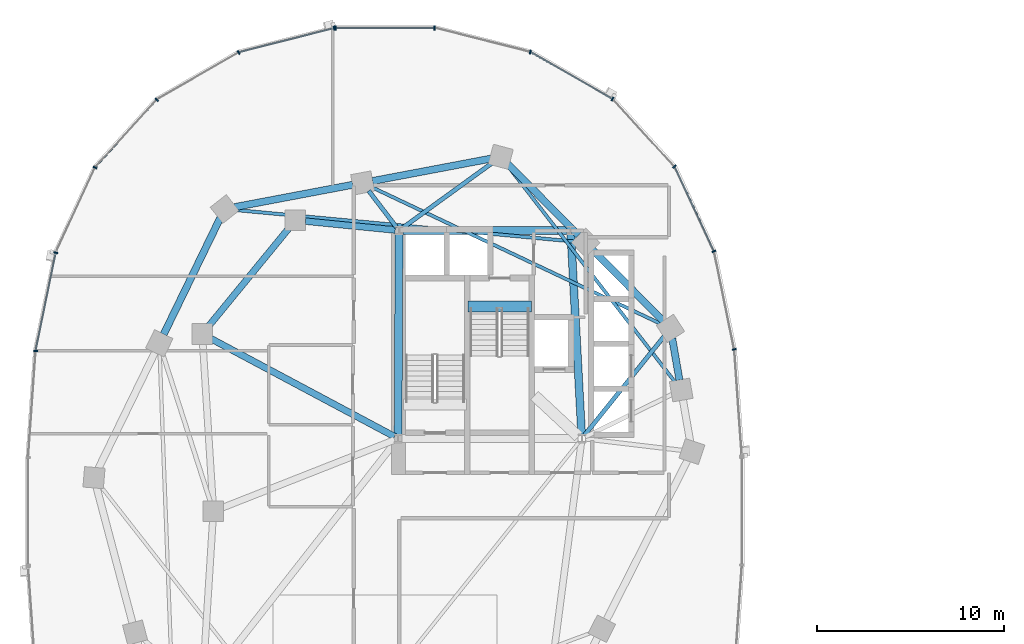
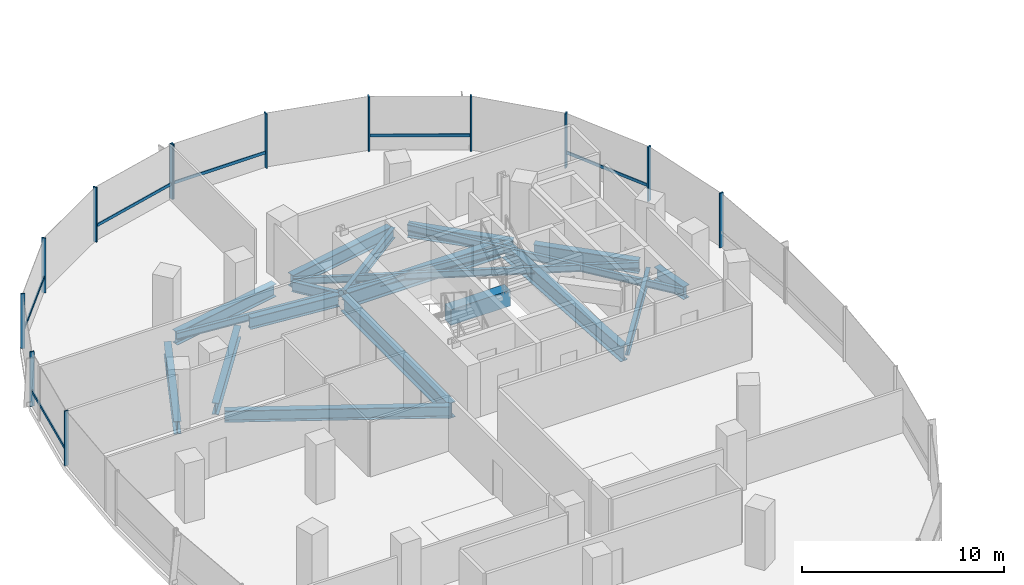
# One storey, part 4 of 21: 19 beams, 19 members, 2 elements without a shape of their own.
"""IFC4 building model written with IfcOpenShell, lengths in metres."""

from ifc_helpers import new_model, si_unit, direction, frame, origin, origin_2d, place, context, subcontext, project, spatial, rectangle, i_section, extrude, material, material_profile, profile_set, type_object, element, aggregate, save


model = new_model("IFC4")

# Units and contexts
model_context = context("Model", 3, precision=1e-05, world=origin(), true_north=direction((0.0, 1.0)))
body_context = subcontext(model_context, "Body", "Model", "MODEL_VIEW")
ifc_project = project(units=[si_unit("LENGTHUNIT", "METRE"), si_unit("AREAUNIT", "SQUARE_METRE"), si_unit("VOLUMEUNIT", "CUBIC_METRE"), si_unit("PLANEANGLEUNIT", "RADIAN"), si_unit("MASSUNIT", "GRAM", prefix="KILO"), si_unit("THERMODYNAMICTEMPERATUREUNIT", "KELVIN"), si_unit("POWERUNIT", "WATT")], contexts=[model_context])

# Site, building, storey
site_placement = place(None, origin())
site = spatial("IfcSite", under=ifc_project, at=site_placement, CompositionType="ELEMENT")
building_placement = place(site_placement, origin())
building = spatial("IfcBuilding", under=site, at=building_placement, Name="Cundina Bronze Exchange", CompositionType="ELEMENT")
storey_placement = place(building_placement, frame((0.0, 0.0, 103.39990234375)))
storey = spatial("IfcBuildingStorey", under=building, at=storey_placement, Name="L26", CompositionType="ELEMENT", Elevation=103.39990234375)

# Beams
ifc_material_1 = material(Name="Concrete C60/75", Category="concrete")
ifc_material_profile_1 = material_profile(ifc_material_1, rectangle(XDim=0.60009765625, YDim=0.949951171875, at=origin_2d()), Name="RC600X950", Category="concrete")
ifc_profile_set_1 = profile_set([ifc_material_profile_1], Name="Concrete C60/75")
beam_type_1 = type_object("IfcBeamType", Name="BM-COUP-RC950", PredefinedType="LINTEL", material=ifc_profile_set_1)
beam_1_placement = place(storey_placement, frame((-27.56005859375, 10.97998046875, -0.474853515625), z_axis=(1.0, 0.0, 0.0), x_axis=(0.0, 1.0, 0.0)))
element("IfcBeam", 1, at=beam_1_placement, inside=storey, type_object=beam_type_1, Name="L26 Stair W2 Landing Header Beam", PredefinedType="LINTEL", context=body_context, shape_type="SweptSolid", body=[
    extrude(rectangle(XDim=0.60009765625, YDim=0.949951171875, at=origin_2d()), origin(), (0.0, 0.0, 1.0), 3.400146484375),
])
ifc_material_2 = material(Name="Steel ASTM A992 Grade 50", Category="steel")
ifc_material_profile_2 = material_profile(ifc_material_2, i_section(OverallWidth=0.22998046875, OverallDepth=0.616943359375, WebThickness=0.01318359375, FlangeThickness=0.022216796875, FilletRadius=0.013916015625, at=origin_2d()), Name="W24X94", Category="steel")
ifc_profile_set_2 = profile_set([ifc_material_profile_2], Name="Steel ASTM A992 Grade 50")
beam_type_2 = type_object("IfcBeamType", Name="BM-FLR-W24B", PredefinedType="BEAM", material=ifc_profile_set_2)
beam_2_placement = place(storey_placement, frame((-21.322021484375, 4.058837890625, -0.6083984375), z_axis=(0.627106187843, 0.778933777139, 0.0), x_axis=(-0.778933777139, 0.627106187843, 0.0)))
element("IfcBeam", 2, at=beam_2_placement, inside=storey, type_object=beam_type_2, Name="L26 Leg W Radial Floor Beam 02", PredefinedType="BEAM", context=body_context, shape_type="SweptSolid", body=[
    extrude(i_section(OverallWidth=0.22998046875, OverallDepth=0.616943359375, WebThickness=0.01318359375, FlangeThickness=0.022216796875, FilletRadius=0.013916015625, at=origin_2d()), origin(), (0.0, 0.0, 1.0), 6.83251953125),
])
beam_3_placement = place(storey_placement, frame((-31.084716796875, 15.169677734375, -0.6083984375), z_axis=(0.809686957662, 0.586862020063, 0.0), x_axis=(-0.586862020063, 0.809686957662, 0.0)))
element("IfcBeam", 3, at=beam_3_placement, inside=storey, type_object=beam_type_2, Name="L26 Leg W Radial Floor Beam 04", PredefinedType="BEAM", context=body_context, shape_type="SweptSolid", body=[
    extrude(i_section(OverallWidth=0.22998046875, OverallDepth=0.616943359375, WebThickness=0.01318359375, FlangeThickness=0.022216796875, FilletRadius=0.013916015625, at=origin_2d()), origin(), (0.0, 0.0, 1.0), 5.98876953125),
])
beam_4_placement = place(storey_placement, frame((-31.373779296875, 15.2119140625, -0.6083984375), z_axis=(-0.607490490457, 0.79432695032, 0.0), x_axis=(-0.79432695032, -0.607490490457, 0.0)))
element("IfcBeam", 4, at=beam_4_placement, inside=storey, type_object=beam_type_2, Name="L26 Leg W Radial Floor Beam 05", PredefinedType="BEAM", context=body_context, shape_type="SweptSolid", body=[
    extrude(i_section(OverallWidth=0.22998046875, OverallDepth=0.616943359375, WebThickness=0.01318359375, FlangeThickness=0.022216796875, FilletRadius=0.013916015625, at=origin_2d()), origin(), (0.0, 0.0, 1.0), 2.46826171875),
])
ifc_material_profile_3 = material_profile(ifc_material_2, i_section(OverallWidth=0.178955078125, OverallDepth=0.409912109375, WebThickness=0.0087890625, FlangeThickness=0.014404296875, FilletRadius=0.010986328125, at=origin_2d()), Name="W16X45", Category="steel")
ifc_profile_set_3 = profile_set([ifc_material_profile_3], Name="Steel ASTM A992 Grade 50")
beam_type_3 = type_object("IfcBeamType", Name="BM-JST-W16", PredefinedType="JOIST", material=ifc_profile_set_3)
beam_5_placement = place(storey_placement, frame((-16.454345703125, 6.92529296875, -0.5048828125), z_axis=(-0.612065218806, 0.790807288742, 0.0), x_axis=(-0.790807288742, -0.612065218806, 0.0)))
element("IfcBeam", 5, at=beam_5_placement, inside=storey, type_object=beam_type_3, Name="L26 Leg W Lobe Floor Joist 01-04", PredefinedType="JOIST", context=body_context, shape_type="SweptSolid", body=[
    extrude(i_section(OverallWidth=0.178955078125, OverallDepth=0.409912109375, WebThickness=0.0087890625, FlangeThickness=0.014404296875, FilletRadius=0.010986328125, at=origin_2d()), origin(), (0.0, 0.0, 1.0), 14.73095703125),
])
beam_6_placement = place(storey_placement, frame((-17.186279296875, 10.02978515625, -0.5048828125), z_axis=(-0.904069270633, 0.427385954259, 0.0), x_axis=(-0.427385954259, -0.904069270633, 0.0)))
element("IfcBeam", 6, at=beam_6_placement, inside=storey, type_object=beam_type_3, Name="L26 Leg W Lobe Floor Joist 02-05", PredefinedType="JOIST", context=body_context, shape_type="SweptSolid", body=[
    extrude(i_section(OverallWidth=0.178955078125, OverallDepth=0.409912109375, WebThickness=0.0087890625, FlangeThickness=0.014404296875, FilletRadius=0.010986328125, at=origin_2d()), origin(), (0.0, 0.0, 1.0), 17.175048828125),
])
beam_7_placement = place(storey_placement, frame((-21.78564453125, 14.44970703125, -0.5048828125), z_axis=(-0.995700674022, 0.092629194921, 0.0), x_axis=(-0.092629194921, -0.995700674022, 0.0)))
element("IfcBeam", 7, at=beam_7_placement, inside=storey, type_object=beam_type_3, Name="L26 Leg W Lobe Floor Joist 03-06", PredefinedType="JOIST", context=body_context, shape_type="SweptSolid", body=[
    extrude(i_section(OverallWidth=0.178955078125, OverallDepth=0.409912109375, WebThickness=0.0087890625, FlangeThickness=0.014404296875, FilletRadius=0.010986328125, at=origin_2d()), origin(), (0.0, 0.0, 1.0), 18.357421875),
])
ifc_material_profile_4 = material_profile(ifc_material_2, i_section(OverallWidth=0.35498046875, OverallDepth=0.695068359375, WebThickness=0.015380859375, FlangeThickness=0.02490234375, FilletRadius=0.01806640625, at=origin_2d()), Name="W27X146", Category="steel")
ifc_profile_set_4 = profile_set([ifc_material_profile_4], Name="Steel ASTM A992 Grade 50")
beam_type_4 = type_object("IfcBeamType", Name="BM-RING-W27", PredefinedType="USERDEFINED", material=ifc_profile_set_4)
beam_8_placement = place(storey_placement, frame((-31.452880859375, 15.070068359375, -0.6474609375), z_axis=(-0.995126271817, 0.098608839051, 0.0), x_axis=(-0.098608839051, -0.995126271817, 0.0)))
element("IfcBeam", 8, at=beam_8_placement, inside=storey, type_object=beam_type_4, Name="L26 W Inner Structural Ring Girder 01", ObjectType="GIRDER", PredefinedType="USERDEFINED", context=body_context, shape_type="SweptSolid", body=[
    extrude(i_section(OverallWidth=0.35498046875, OverallDepth=0.695068359375, WebThickness=0.015380859375, FlangeThickness=0.02490234375, FilletRadius=0.01806640625, at=origin_2d()), origin(), (0.0, 0.0, 1.0), 4.83544921875),
])
beam_9_placement = place(storey_placement, frame((-37.14111328125, 15.183837890625, -0.6474609375), z_axis=(-0.633926549035, -0.773393257295, 0.0), x_axis=(0.773393257295, -0.633926549035, 0.0)))
element("IfcBeam", 9, at=beam_9_placement, inside=storey, type_object=beam_type_4, Name="L26 W Inner Structural Ring Girder 02", ObjectType="GIRDER", PredefinedType="USERDEFINED", context=body_context, shape_type="SweptSolid", body=[
    extrude(i_section(OverallWidth=0.35498046875, OverallDepth=0.695068359375, WebThickness=0.015380859375, FlangeThickness=0.02490234375, FilletRadius=0.01806640625, at=origin_2d()), origin(), (0.0, 0.0, 1.0), 6.811279296875),
])
beam_10_placement = place(storey_placement, frame((-31.47998046875, 3.99609375, -0.6474609375), z_axis=(-0.882354758239, 0.470584828286, 0.0), x_axis=(-0.470584828286, -0.882354758239, 0.0)))
element("IfcBeam", 10, at=beam_10_placement, inside=storey, type_object=beam_type_4, Name="L26 W Core-to-Waist Tie Beam 2", ObjectType="GIRDER", PredefinedType="USERDEFINED", context=body_context, shape_type="SweptSolid", body=[
    extrude(i_section(OverallWidth=0.35498046875, OverallDepth=0.695068359375, WebThickness=0.015380859375, FlangeThickness=0.02490234375, FilletRadius=0.01806640625, at=origin_2d()), origin(), (0.0, 0.0, 1.0), 11.157958984375),
])
ifc_material_profile_5 = material_profile(ifc_material_2, i_section(OverallWidth=0.381103515625, OverallDepth=0.77294921875, WebThickness=0.0166015625, FlangeThickness=0.027099609375, FilletRadius=0.01904296875, at=origin_2d()), Name="W30X173", Category="steel")
ifc_profile_set_5 = profile_set([ifc_material_profile_5], Name="Steel ASTM A992 Grade 50")
beam_type_5 = type_object("IfcBeamType", Name="BM-RING-W30", PredefinedType="USERDEFINED", material=ifc_profile_set_5)
beam_11_placement = place(storey_placement, frame((-16.21728515625, 7.030029296875, -0.6865234375), z_axis=(-0.171690078326, 0.985151012284, 0.0), x_axis=(-0.985151012284, -0.171690078326, 0.0)))
element("IfcBeam", 11, at=beam_11_placement, inside=storey, type_object=beam_type_5, Name="L26 W Perimeter Ring Girder 01", ObjectType="GIRDER", PredefinedType="USERDEFINED", context=body_context, shape_type="SweptSolid", body=[
    extrude(i_section(OverallWidth=0.381103515625, OverallDepth=0.77294921875, WebThickness=0.0166015625, FlangeThickness=0.027099609375, FilletRadius=0.01904296875, at=origin_2d()), origin(), (0.0, 0.0, 1.0), 2.273681640625),
])
for number, where, z_axis, x_axis, name in (
    (12, (-17.078369140625, 10.1826171875, -0.6865234375), (-0.703226342126, 0.7109660412, 0.0), (-0.7109660412, -0.703226342126, 0.0), "L26 W Perimeter Ring Girder 02"),
    (13, (-21.62841796875, 14.782470703125, -0.6865234375), (-0.703226342126, 0.7109660412, 0.0), (-0.7109660412, -0.703226342126, 0.0), "L26 W Perimeter Ring Girder 03"),
):
    element("IfcBeam", number, at=place(storey_placement, frame(where, z_axis=z_axis, x_axis=x_axis)), inside=storey, type_object=beam_type_5, Name=name, ObjectType="GIRDER", PredefinedType="USERDEFINED", context=body_context, shape_type="SweptSolid", body=[
        extrude(i_section(OverallWidth=0.381103515625, OverallDepth=0.77294921875, WebThickness=0.0166015625, FlangeThickness=0.027099609375, FilletRadius=0.01904296875, at=origin_2d()), origin(), (0.0, 0.0, 1.0), 5.39404296875),
    ])
for number, where, z_axis, x_axis, name in (
    (14, (-26.32861328125, 18.89990234375, -0.6865234375), (-0.98257117919, -0.185886733861, 0.0), (0.185886733861, -0.98257117919, 0.0), "L26 W Perimeter Ring Girder 04"),
    (15, (-33.728515625, 17.5, -0.6865234375), (-0.98257117919, -0.185886733861, 0.0), (0.185886733861, -0.98257117919, 0.0), "L26 W Perimeter Ring Girder 05"),
):
    element("IfcBeam", number, at=place(storey_placement, frame(where, z_axis=z_axis, x_axis=x_axis)), inside=storey, type_object=beam_type_5, Name=name, ObjectType="GIRDER", PredefinedType="USERDEFINED", context=body_context, shape_type="SweptSolid", body=[
        extrude(i_section(OverallWidth=0.381103515625, OverallDepth=0.77294921875, WebThickness=0.0166015625, FlangeThickness=0.027099609375, FilletRadius=0.01904296875, at=origin_2d()), origin(), (0.0, 0.0, 1.0), 6.455322265625),
    ])
beam_12_placement = place(storey_placement, frame((-40.835205078125, 15.716064453125, -0.6865234375), z_axis=(-0.437193894283, -0.899367276924, 0.0), x_axis=(0.899367276924, -0.437193894283, 0.0)))
element("IfcBeam", 16, at=beam_12_placement, inside=storey, type_object=beam_type_5, Name="L26 W Perimeter Ring Girder 06", ObjectType="GIRDER", PredefinedType="USERDEFINED", context=body_context, shape_type="SweptSolid", body=[
    extrude(i_section(OverallWidth=0.381103515625, OverallDepth=0.77294921875, WebThickness=0.0166015625, FlangeThickness=0.027099609375, FilletRadius=0.01904296875, at=origin_2d()), origin(), (0.0, 0.0, 1.0), 6.929443359375),
])
ifc_material_profile_6 = material_profile(ifc_material_2, i_section(OverallWidth=0.41796875, OverallDepth=0.927001953125, WebThickness=0.019287109375, FlangeThickness=0.031982421875, FilletRadius=0.02392578125, at=origin_2d()), Name="W36X231", Category="steel")
ifc_profile_set_6 = profile_set([ifc_material_profile_6], Name="Steel ASTM A992 Grade 50")
beam_type_6 = type_object("IfcBeamType", Name="BM-WRN-W36B", PredefinedType="USERDEFINED", material=ifc_profile_set_6)
beam_13_placement = place(storey_placement, frame((-21.4609375, 4.103759765625, -0.763427734375), z_axis=(-0.053739193498, 0.998555005537, 0.0), x_axis=(-0.998555005537, -0.053739193498, 0.0)))
element("IfcBeam", 17, at=beam_13_placement, inside=storey, type_object=beam_type_6, Name="L26 W Core Perimeter Tie Girder 2", ObjectType="GIRDER", PredefinedType="USERDEFINED", context=body_context, shape_type="SweptSolid", body=[
    extrude(i_section(OverallWidth=0.41796875, OverallDepth=0.927001953125, WebThickness=0.019287109375, FlangeThickness=0.031982421875, FilletRadius=0.02392578125, at=origin_2d()), origin(), (0.0, 0.0, 1.0), 10.758056640625),
])
beam_14_placement = place(storey_placement, frame((-22.25390625, 15.050048828125, -0.763427734375), z_axis=(-1.0, 0.0, 0.0), x_axis=(0.0, -1.0, 0.0)))
element("IfcBeam", 18, at=beam_14_placement, inside=storey, type_object=beam_type_6, Name="L26 W Core Perimeter Tie Girder 3", ObjectType="GIRDER", PredefinedType="USERDEFINED", context=body_context, shape_type="SweptSolid", body=[
    extrude(i_section(OverallWidth=0.41796875, OverallDepth=0.927001953125, WebThickness=0.019287109375, FlangeThickness=0.031982421875, FilletRadius=0.02392578125, at=origin_2d()), origin(), (0.0, 0.0, 1.0), 8.7919921875),
])
beam_15_placement = place(storey_placement, frame((-31.2509765625, 14.845947265625, -0.763427734375), z_axis=(-0.004477329608, -0.99998997671, 0.0), x_axis=(0.99998997671, -0.004477329608, 0.0)))
element("IfcBeam", 19, at=beam_15_placement, inside=storey, type_object=beam_type_6, Name="L26 W Core Perimeter Tie Girder 4", ObjectType="GIRDER", PredefinedType="USERDEFINED", context=body_context, shape_type="SweptSolid", body=[
    extrude(i_section(OverallWidth=0.41796875, OverallDepth=0.927001953125, WebThickness=0.019287109375, FlangeThickness=0.031982421875, FilletRadius=0.02392578125, at=origin_2d()), origin(), (0.0, 0.0, 1.0), 10.741943359375),
])

# Curtain wall, members
ifc_material_3 = material(Name="Anodised Bronze Aluminium 6063-T6", Category="aluminium")
curtain_wall_type = type_object("IfcCurtainWallType", Name="CWS-TRD-MID", PredefinedType="NOTDEFINED", material=ifc_material_3)
curtain_wall_1_placement = place(storey_placement, origin())
curtain_wall_1 = element("IfcCurtainWall", 20, at=curtain_wall_1_placement, inside=storey, type_object=curtain_wall_type, Name="L26 CW-03 Curtain Wall Run CWR-L26-W1", PredefinedType="NOTDEFINED")
ifc_material_profile_7 = material_profile(ifc_material_3, rectangle(XDim=0.074951171875, YDim=0.219970703125, at=origin_2d()), Name="AL75X220", Category="aluminium")
ifc_profile_set_7 = profile_set([ifc_material_profile_7], Name="Anodised Bronze Aluminium 6063-T6")
member_type_1 = type_object("IfcMemberType", Name="CWM-MUL-220", PredefinedType="MULLION", material=ifc_profile_set_7)
member_1_placement = place(storey_placement, frame((-13.282958984375, 8.67822265625, 0.0), z_axis=(0.0, 0.0, 1.0), x_axis=(-0.201419845156, 0.979505000486, 0.0)))
member_1 = element("IfcMember", 21, at=member_1_placement, type_object=member_type_1, Name="CW-03 Mullion 2", PredefinedType="MULLION", context=body_context, shape_type="SweptSolid", body=[
    extrude(rectangle(XDim=0.074951171875, YDim=0.219970703125, at=origin_2d()), origin(), (0.0, 0.0, 1.0), 3.300048828125),
])
member_2_placement = place(storey_placement, frame((-14.3720703125, 13.931884765625, 0.0), z_axis=(0.0, 0.0, 1.0), x_axis=(-0.42087749791, 0.907117485088, 0.0)))
member_2 = element("IfcMember", 22, at=member_2_placement, type_object=member_type_1, Name="CW-03 Mullion 3", PredefinedType="MULLION", context=body_context, shape_type="SweptSolid", body=[
    extrude(rectangle(XDim=0.074951171875, YDim=0.219970703125, at=origin_2d()), origin(), (0.0, 0.0, 1.0), 3.300048828125),
])
member_3_placement = place(storey_placement, frame((-16.491455078125, 18.47705078125, 0.0), z_axis=(0.0, 0.0, 1.0), x_axis=(-0.674302387584, 0.738455340626, 0.0)))
member_3 = element("IfcMember", 23, at=member_3_placement, type_object=member_type_1, Name="CW-03 Mullion 4", PredefinedType="MULLION", context=body_context, shape_type="SweptSolid", body=[
    extrude(rectangle(XDim=0.074951171875, YDim=0.219970703125, at=origin_2d()), origin(), (0.0, 0.0, 1.0), 3.300048828125),
])
member_4_placement = place(storey_placement, frame((-19.810302734375, 22.097412109375, 0.0), z_axis=(0.0, 0.0, 1.0), x_axis=(-0.867070701164, 0.498185105339, 0.0)))
member_4 = element("IfcMember", 24, at=member_4_placement, type_object=member_type_1, Name="CW-03 Mullion 5", PredefinedType="MULLION", context=body_context, shape_type="SweptSolid", body=[
    extrude(rectangle(XDim=0.074951171875, YDim=0.219970703125, at=origin_2d()), origin(), (0.0, 0.0, 1.0), 3.300048828125),
])
member_5_placement = place(storey_placement, frame((-24.21484375, 24.61669921875, 0.0), z_axis=(0.0, 0.0, 1.0), x_axis=(-0.969488149345, 0.245138182011, 0.0)))
member_5 = element("IfcMember", 25, at=member_5_placement, type_object=member_type_1, Name="CW-03 Mullion 6", PredefinedType="MULLION", context=body_context, shape_type="SweptSolid", body=[
    extrude(rectangle(XDim=0.074951171875, YDim=0.219970703125, at=origin_2d()), origin(), (0.0, 0.0, 1.0), 3.300048828125),
])
member_6_placement = place(storey_placement, frame((-29.345458984375, 25.905029296875, 0.0), z_axis=(0.0, 0.0, 1.0), x_axis=(-1.0, 0.0, 0.0)))
member_6 = element("IfcMember", 26, at=member_6_placement, type_object=member_type_1, Name="CW-03 Mullion 7", PredefinedType="MULLION", context=body_context, shape_type="SweptSolid", body=[
    extrude(rectangle(XDim=0.074951171875, YDim=0.219970703125, at=origin_2d()), origin(), (0.0, 0.0, 1.0), 3.300048828125),
])
member_7_placement = place(storey_placement, frame((-34.654541015625, 25.905029296875, 0.0), z_axis=(0.0, 0.0, 1.0), x_axis=(-1.0, 0.0, 0.0)))
member_7 = element("IfcMember", 27, at=member_7_placement, type_object=member_type_1, Name="CW-03 End Mullion", PredefinedType="MULLION", context=body_context, shape_type="SweptSolid", body=[
    extrude(rectangle(XDim=0.074951171875, YDim=0.219970703125, at=origin_2d()), origin(), (0.0, 0.0, 1.0), 3.300048828125),
])

curtain_wall_2_placement = place(storey_placement, origin())
curtain_wall_2 = element("IfcCurtainWall", 28, at=curtain_wall_2_placement, inside=storey, type_object=curtain_wall_type, Name="L26 CW-03 Curtain Wall Run CWR-L26-W2", PredefinedType="NOTDEFINED")
member_8_placement = place(storey_placement, frame((-34.72607421875, 25.89599609375, 0.0), z_axis=(0.0, 0.0, 1.0), x_axis=(-0.969488149345, -0.245138182011, 0.0)))
member_8 = element("IfcMember", 29, at=member_8_placement, type_object=member_type_1, Name="CW-03 Mullion 1", PredefinedType="MULLION", context=body_context, shape_type="SweptSolid", body=[
    extrude(rectangle(XDim=0.074951171875, YDim=0.219970703125, at=origin_2d()), origin(), (0.0, 0.0, 1.0), 3.300048828125),
])
member_9_placement = place(storey_placement, frame((-39.848876953125, 24.591064453125, 0.0), z_axis=(0.0, 0.0, 1.0), x_axis=(-0.867070701164, -0.498185105339, 0.0)))
member_9 = element("IfcMember", 30, at=member_9_placement, type_object=member_type_1, Name="CW-03 Mullion 2", PredefinedType="MULLION", context=body_context, shape_type="SweptSolid", body=[
    extrude(rectangle(XDim=0.074951171875, YDim=0.219970703125, at=origin_2d()), origin(), (0.0, 0.0, 1.0), 3.300048828125),
])
member_10_placement = place(storey_placement, frame((-44.239501953125, 22.0576171875, 0.0), z_axis=(0.0, 0.0, 1.0), x_axis=(-0.674302387584, -0.738455340626, 0.0)))
member_10 = element("IfcMember", 31, at=member_10_placement, type_object=member_type_1, Name="CW-03 Mullion 3", PredefinedType="MULLION", context=body_context, shape_type="SweptSolid", body=[
    extrude(rectangle(XDim=0.074951171875, YDim=0.219970703125, at=origin_2d()), origin(), (0.0, 0.0, 1.0), 3.300048828125),
])
member_11_placement = place(storey_placement, frame((-47.544189453125, 18.423583984375, 0.0), z_axis=(0.0, 0.0, 1.0), x_axis=(-0.42087749791, -0.907117485088, 0.0)))
member_11 = element("IfcMember", 32, at=member_11_placement, type_object=member_type_1, Name="CW-03 Mullion 4", PredefinedType="MULLION", context=body_context, shape_type="SweptSolid", body=[
    extrude(rectangle(XDim=0.074951171875, YDim=0.219970703125, at=origin_2d()), origin(), (0.0, 0.0, 1.0), 3.300048828125),
])
member_12_placement = place(storey_placement, frame((-49.651123046875, 13.861328125, 0.0), z_axis=(0.0, 0.0, 1.0), x_axis=(-0.201419845156, -0.979505000486, 0.0)))
member_12 = element("IfcMember", 33, at=member_12_placement, type_object=member_type_1, Name="CW-03 Mullion 5", PredefinedType="MULLION", context=body_context, shape_type="SweptSolid", body=[
    extrude(rectangle(XDim=0.074951171875, YDim=0.219970703125, at=origin_2d()), origin(), (0.0, 0.0, 1.0), 3.300048828125),
])
member_13_placement = place(storey_placement, frame((-50.72900390625, 8.591552734375, 0.0), z_axis=(0.0, 0.0, 1.0), x_axis=(-0.070278787473, -0.997527389113, 0.0)))
member_13 = element("IfcMember", 34, at=member_13_placement, type_object=member_type_1, Name="CW-03 Mullion 6", PredefinedType="MULLION", context=body_context, shape_type="SweptSolid", body=[
    extrude(rectangle(XDim=0.074951171875, YDim=0.219970703125, at=origin_2d()), origin(), (0.0, 0.0, 1.0), 3.300048828125),
])

# Member
ifc_material_profile_8 = material_profile(ifc_material_3, rectangle(XDim=0.070068359375, YDim=0.179931640625, at=origin_2d()), Name="AL70X180", Category="aluminium")
ifc_profile_set_8 = profile_set([ifc_material_profile_8], Name="Anodised Bronze Aluminium 6063-T6")
member_type_2 = type_object("IfcMemberType", Name="CWM-TRN-180", PredefinedType="USERDEFINED", material=ifc_profile_set_8)
member_14_placement = place(storey_placement, frame((-14.389404296875, 13.96923828125, 0.920166015625), z_axis=(-0.420811422796, 0.907148139195, 0.0), x_axis=(-0.907148139195, -0.420811422796, 0.0)))
member_14 = element("IfcMember", 35, at=member_14_placement, type_object=member_type_2, Name="CW-03 Spandrel Transom 3", ObjectType="TRANSOM", PredefinedType="USERDEFINED", context=body_context, shape_type="SweptSolid", body=[
    extrude(rectangle(XDim=0.070068359375, YDim=0.179931640625, at=origin_2d()), origin(), (0.0, 0.0, 1.0), 4.95166015625),
])

member_15_placement = place(storey_placement, frame((-19.845947265625, 22.117919921875, 0.920166015625), z_axis=(-0.867097475651, 0.498138502546, 0.0), x_axis=(-0.498138502546, -0.867097475651, 0.0)))
member_15 = element("IfcMember", 36, at=member_15_placement, type_object=member_type_2, Name="CW-03 Spandrel Transom 5", ObjectType="TRANSOM", PredefinedType="USERDEFINED", context=body_context, shape_type="SweptSolid", body=[
    extrude(rectangle(XDim=0.070068359375, YDim=0.179931640625, at=origin_2d()), origin(), (0.0, 0.0, 1.0), 5.00634765625),
])

member_16_placement = place(storey_placement, frame((-29.38671875, 25.905029296875, 0.920166015625), z_axis=(-1.0, 0.0, 0.0), x_axis=(0.0, -1.0, 0.0)))
member_16 = element("IfcMember", 37, at=member_16_placement, type_object=member_type_2, Name="CW-03 Spandrel Transom 7", ObjectType="TRANSOM", PredefinedType="USERDEFINED", context=body_context, shape_type="SweptSolid", body=[
    extrude(rectangle(XDim=0.070068359375, YDim=0.179931640625, at=origin_2d()), origin(), (0.0, 0.0, 1.0), 5.2265625),
])

aggregate(curtain_wall_1, [member_1, member_2, member_14, member_3, member_4, member_15, member_5, member_6, member_7, member_16])

member_17_placement = place(storey_placement, frame((-34.76611328125, 25.885986328125, 0.920166015625), z_axis=(-0.969483968866, -0.245154714644, 0.0), x_axis=(0.245154714644, -0.969483968866, 0.0)))
member_17 = element("IfcMember", 38, at=member_17_placement, type_object=member_type_2, Name="CW-03 Spandrel Transom 1", ObjectType="TRANSOM", PredefinedType="USERDEFINED", context=body_context, shape_type="SweptSolid", body=[
    extrude(rectangle(XDim=0.070068359375, YDim=0.179931640625, at=origin_2d()), origin(), (0.0, 0.0, 1.0), 5.21826171875),
])

member_18_placement = place(storey_placement, frame((-44.26708984375, 22.027099609375, 0.920166015625), z_axis=(-0.674302794847, -0.738454968743, 0.0), x_axis=(0.738454968743, -0.674302794847, 0.0)))
member_18 = element("IfcMember", 39, at=member_18_placement, type_object=member_type_2, Name="CW-03 Spandrel Transom 3", ObjectType="TRANSOM", PredefinedType="USERDEFINED", context=body_context, shape_type="SweptSolid", body=[
    extrude(rectangle(XDim=0.070068359375, YDim=0.179931640625, at=origin_2d()), origin(), (0.0, 0.0, 1.0), 4.848388671875),
])

member_19_placement = place(storey_placement, frame((-49.659423828125, 13.821044921875, 0.920166015625), z_axis=(-0.201427712708, -0.979503382615, 0.0), x_axis=(0.979503382615, -0.201427712708, 0.0)))
member_19 = element("IfcMember", 40, at=member_19_placement, type_object=member_type_2, Name="CW-03 Spandrel Transom 5", ObjectType="TRANSOM", PredefinedType="USERDEFINED", context=body_context, shape_type="SweptSolid", body=[
    extrude(rectangle(XDim=0.070068359375, YDim=0.179931640625, at=origin_2d()), origin(), (0.0, 0.0, 1.0), 5.291748046875),
])

aggregate(curtain_wall_2, [member_8, member_17, member_9, member_10, member_18, member_11, member_12, member_19, member_13])

save(model, "model.ifc")
